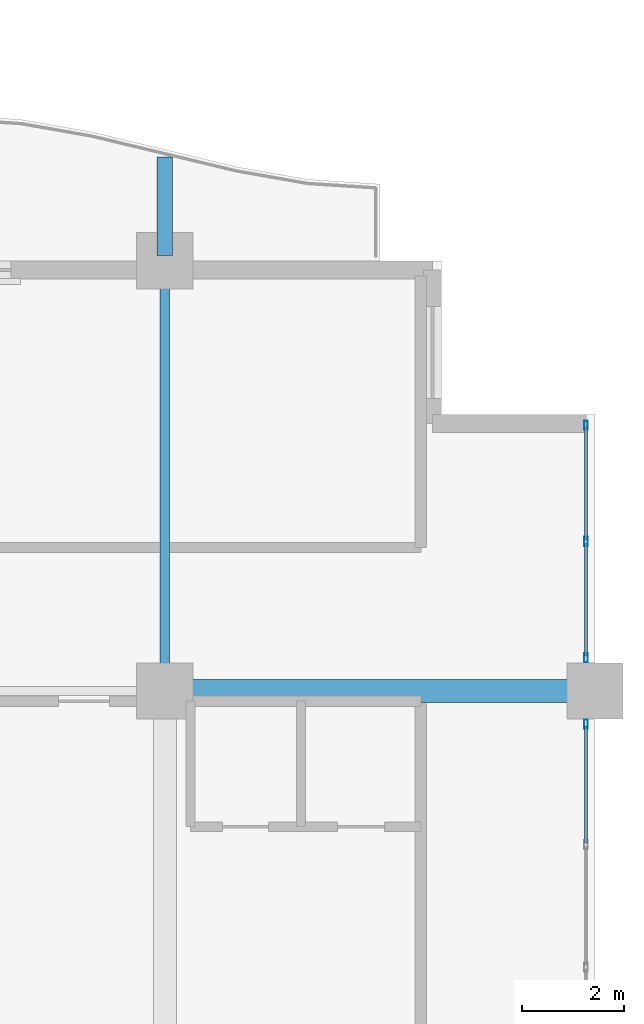
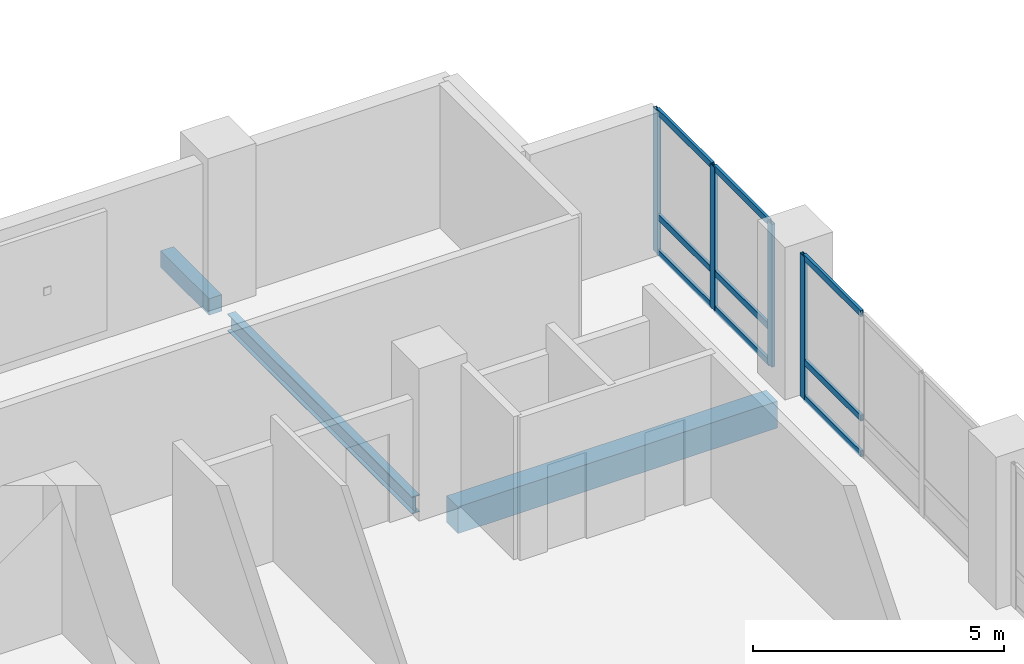
# One storey, part 7 of 22: 13 members, 3 beams, 2 elements without a shape of their own.
"""IFC4 building model written with IfcOpenShell, lengths in metres."""

from ifc_helpers import new_model, si_unit, direction, frame, origin, origin_2d, place, context, subcontext, project, spatial, rectangle, hollow_rectangle, i_section, extrude, material, layer, layer_set, material_profile, profile_set, type_object, element, aggregate, save


model = new_model("IFC4")

# Units and contexts
model_context = context("Model", 3, precision=1e-05, world=origin(), true_north=direction((0.0, 1.0)))
body_context = subcontext(model_context, "Body", "Model", "MODEL_VIEW")
ifc_project = project(units=[si_unit("LENGTHUNIT", "METRE"), si_unit("AREAUNIT", "SQUARE_METRE"), si_unit("VOLUMEUNIT", "CUBIC_METRE"), si_unit("PLANEANGLEUNIT", "RADIAN"), si_unit("MASSUNIT", "GRAM", prefix="KILO")], contexts=[model_context])

# Site, building, storey
site_placement = place(None, origin())
site = spatial("IfcSite", under=ifc_project, at=site_placement, CompositionType="ELEMENT")
building_placement = place(site_placement, origin())
building = spatial("IfcBuilding", under=site, at=building_placement, Name="Koriwani Terraces Tower", CompositionType="ELEMENT")
storey_placement = place(building_placement, frame((0.0, 0.0, 182.800048828125)))
storey = spatial("IfcBuildingStorey", under=building, at=storey_placement, Name="L44", CompositionType="ELEMENT", Elevation=182.800048828125)

# Beams
ifc_material_1 = material(Name="Concrete C40/50", Category="concrete")
ifc_material_profile_1 = material_profile(ifc_material_1, rectangle(XDim=0.300048828125, YDim=0.39990234375, at=origin_2d()), Name="Concrete C40/50", Category="LoadBearing")
ifc_profile_set_1 = profile_set([ifc_material_profile_1], Name="Concrete C40/50")
beam_type_1 = type_object("IfcBeamType", Name="BEAM_RC_BALCONY_RIB_300X400", PredefinedType="JOIST", material=ifc_profile_set_1)
beam_1_placement = place(storey_placement, frame((67.199951171875, 33.699951171875, -0.429931640625), z_axis=(0.0, 1.0, 0.0), x_axis=(-1.0, 0.0, 0.0)))
element("IfcBeam", 1, at=beam_1_placement, inside=storey, type_object=beam_type_1, Name="L44 Balcony Bracket Rib NE-4", PredefinedType="JOIST", context=body_context, shape_type="SweptSolid", body=[
    extrude(rectangle(XDim=0.300048828125, YDim=0.39990234375, at=origin_2d()), origin(), (0.0, 0.0, 1.0), 1.925048828125),
])
ifc_material_2 = material(Name="Concrete C50/60", Category="concrete")
ifc_material_profile_2 = material_profile(ifc_material_2, rectangle(XDim=0.449951171875, YDim=0.64990234375, at=origin_2d()), Name="Concrete C50/60", Category="LoadBearing")
ifc_profile_set_2 = profile_set([ifc_material_profile_2], Name="Concrete C50/60")
beam_type_2 = type_object("IfcBeamType", Name="BEAM_RC_GRID_450X650", PredefinedType="BEAM", material=ifc_profile_set_2)
beam_2_placement = place(storey_placement, frame((67.72998046875, 25.199951171875, -0.554931640625), z_axis=(1.0, 0.0, 0.0), x_axis=(0.0, 1.0, 0.0)))
element("IfcBeam", 2, at=beam_2_placement, inside=storey, type_object=beam_type_2, Name="L44 Grid Beam D (67.2-75.6m)", PredefinedType="BEAM", context=body_context, shape_type="SweptSolid", body=[
    extrude(rectangle(XDim=0.449951171875, YDim=0.64990234375, at=origin_2d()), origin(), (0.0, 0.0, 1.0), 7.340087890625),
])

# Curtain wall, members
ifc_material_3 = material(Name="Anodised Bronze Aluminium", Category="aluminium")
ifc_layer = layer(ifc_material_3, 0.169921875, Name="Anodised Bronze Aluminium")
ifc_layer_set = layer_set([ifc_layer], Name="Anodised Bronze Aluminium")
curtain_wall_type = type_object("IfcCurtainWallType", Name="CW_RES_ZONE3", PredefinedType="NOTDEFINED", material=ifc_layer_set)
curtain_wall_1_placement = place(storey_placement, origin())
curtain_wall_1 = element("IfcCurtainWall", 3, at=curtain_wall_1_placement, inside=storey, type_object=curtain_wall_type, Name="L44 Unitised Curtain Wall (E_TIP) Bay 1", PredefinedType="NOTDEFINED")
ifc_material_profile_3 = material_profile(ifc_material_3, hollow_rectangle(XDim=0.074951171875, YDim=0.179931640625, WallThickness=0.006103515625, at=origin_2d()), Name="Anodised Bronze Aluminium", Category="LoadBearing")
ifc_profile_set_3 = profile_set([ifc_material_profile_3], Name="Anodised Bronze Aluminium")
member_type_1 = type_object("IfcMemberType", Name="CW_MULLION_180X75", PredefinedType="MULLION", material=ifc_profile_set_3)
member_1_placement = place(storey_placement, frame((75.425048828125, 30.387451171875, 0.0), z_axis=(0.0, 0.0, 1.0), x_axis=(1.0, 0.0, 0.0)))
member_1 = element("IfcMember", 4, at=member_1_placement, type_object=member_type_1, Name="CW-Z3 mullion 1", PredefinedType="MULLION", context=body_context, shape_type="SweptSolid", body=[
    extrude(hollow_rectangle(XDim=0.074951171875, YDim=0.179931640625, WallThickness=0.006103515625, at=origin_2d()), origin(), (0.0, 0.0, 1.0), 3.469970703125),
])
member_2_placement = place(storey_placement, frame((75.425048828125, 28.117431640625, 0.0), z_axis=(0.0, 0.0, 1.0), x_axis=(1.0, 0.0, 0.0)))
member_2 = element("IfcMember", 5, at=member_2_placement, type_object=member_type_1, Name="CW-Z3 mullion 2", PredefinedType="MULLION", context=body_context, shape_type="SweptSolid", body=[
    extrude(hollow_rectangle(XDim=0.074951171875, YDim=0.179931640625, WallThickness=0.006103515625, at=origin_2d()), origin(), (0.0, 0.0, 1.0), 3.469970703125),
])
member_3_placement = place(storey_placement, frame((75.425048828125, 25.847412109375, 0.0), z_axis=(0.0, 0.0, 1.0), x_axis=(1.0, 0.0, 0.0)))
member_3 = element("IfcMember", 6, at=member_3_placement, type_object=member_type_1, Name="CW-Z3 mullion 3", PredefinedType="MULLION", context=body_context, shape_type="SweptSolid", body=[
    extrude(hollow_rectangle(XDim=0.074951171875, YDim=0.179931640625, WallThickness=0.006103515625, at=origin_2d()), origin(), (0.0, 0.0, 1.0), 3.469970703125),
])

# Curtain wall, member
curtain_wall_2_placement = place(storey_placement, origin())
curtain_wall_2 = element("IfcCurtainWall", 7, at=curtain_wall_2_placement, inside=storey, type_object=curtain_wall_type, Name="L44 Unitised Curtain Wall (E_TIP) Bay 2", PredefinedType="NOTDEFINED")
member_4_placement = place(storey_placement, frame((75.425048828125, 24.552490234375, 0.0), z_axis=(0.0, 0.0, 1.0), x_axis=(1.0, 0.0, 0.0)))
member_4 = element("IfcMember", 8, at=member_4_placement, type_object=member_type_1, Name="CW-Z3 mullion 1", PredefinedType="MULLION", context=body_context, shape_type="SweptSolid", body=[
    extrude(hollow_rectangle(XDim=0.074951171875, YDim=0.179931640625, WallThickness=0.006103515625, at=origin_2d()), origin(), (0.0, 0.0, 1.0), 3.469970703125),
])

# Member
ifc_material_profile_4 = material_profile(ifc_material_3, hollow_rectangle(XDim=0.06494140625, YDim=0.14990234375, WallThickness=0.0048828125, at=origin_2d()), Name="Anodised Bronze Aluminium", Category="LoadBearing")
ifc_profile_set_4 = profile_set([ifc_material_profile_4], Name="Anodised Bronze Aluminium")
member_type_2 = type_object("IfcMemberType", Name="CW_TRANSOM_150X65", PredefinedType="USERDEFINED", material=ifc_profile_set_4)
member_5_placement = place(storey_placement, frame((75.425048828125, 30.35009765625, 0.032470703125), z_axis=(0.0, -1.0, 0.0), x_axis=(1.0, 0.0, 0.0)))
member_5 = element("IfcMember", 9, at=member_5_placement, type_object=member_type_2, Name="CW-Z3 transom 1.1", ObjectType="TRANSOM", PredefinedType="USERDEFINED", context=body_context, shape_type="SweptSolid", body=[
    extrude(hollow_rectangle(XDim=0.06494140625, YDim=0.14990234375, WallThickness=0.0048828125, at=origin_2d()), origin(), (0.0, 0.0, 1.0), 2.195068359375),
])

member_6_placement = place(storey_placement, frame((75.425048828125, 30.35009765625, 0.89990234375), z_axis=(0.0, -1.0, 0.0), x_axis=(1.0, 0.0, 0.0)))
member_6 = element("IfcMember", 10, at=member_6_placement, type_object=member_type_2, Name="CW-Z3 transom 1.2", ObjectType="TRANSOM", PredefinedType="USERDEFINED", context=body_context, shape_type="SweptSolid", body=[
    extrude(hollow_rectangle(XDim=0.06494140625, YDim=0.14990234375, WallThickness=0.0048828125, at=origin_2d()), origin(), (0.0, 0.0, 1.0), 2.195068359375),
])

member_7_placement = place(storey_placement, frame((75.425048828125, 30.35009765625, 3.4375), z_axis=(0.0, -1.0, 0.0), x_axis=(1.0, 0.0, 0.0)))
member_7 = element("IfcMember", 11, at=member_7_placement, type_object=member_type_2, Name="CW-Z3 transom 1.3", ObjectType="TRANSOM", PredefinedType="USERDEFINED", context=body_context, shape_type="SweptSolid", body=[
    extrude(hollow_rectangle(XDim=0.06494140625, YDim=0.14990234375, WallThickness=0.0048828125, at=origin_2d()), origin(), (0.0, 0.0, 1.0), 2.195068359375),
])

member_8_placement = place(storey_placement, frame((75.425048828125, 28.080078125, 0.032470703125), z_axis=(0.0, -1.0, 0.0), x_axis=(1.0, 0.0, 0.0)))
member_8 = element("IfcMember", 12, at=member_8_placement, type_object=member_type_2, Name="CW-Z3 transom 2.1", ObjectType="TRANSOM", PredefinedType="USERDEFINED", context=body_context, shape_type="SweptSolid", body=[
    extrude(hollow_rectangle(XDim=0.06494140625, YDim=0.14990234375, WallThickness=0.0048828125, at=origin_2d()), origin(), (0.0, 0.0, 1.0), 2.195068359375),
])

member_9_placement = place(storey_placement, frame((75.425048828125, 28.080078125, 0.89990234375), z_axis=(0.0, -1.0, 0.0), x_axis=(1.0, 0.0, 0.0)))
member_9 = element("IfcMember", 13, at=member_9_placement, type_object=member_type_2, Name="CW-Z3 transom 2.2", ObjectType="TRANSOM", PredefinedType="USERDEFINED", context=body_context, shape_type="SweptSolid", body=[
    extrude(hollow_rectangle(XDim=0.06494140625, YDim=0.14990234375, WallThickness=0.0048828125, at=origin_2d()), origin(), (0.0, 0.0, 1.0), 2.195068359375),
])

member_10_placement = place(storey_placement, frame((75.425048828125, 28.080078125, 3.4375), z_axis=(0.0, -1.0, 0.0), x_axis=(1.0, 0.0, 0.0)))
member_10 = element("IfcMember", 14, at=member_10_placement, type_object=member_type_2, Name="CW-Z3 transom 2.3", ObjectType="TRANSOM", PredefinedType="USERDEFINED", context=body_context, shape_type="SweptSolid", body=[
    extrude(hollow_rectangle(XDim=0.06494140625, YDim=0.14990234375, WallThickness=0.0048828125, at=origin_2d()), origin(), (0.0, 0.0, 1.0), 2.195068359375),
])

aggregate(curtain_wall_1, [member_1, member_2, member_3, member_5, member_6, member_7, member_8, member_9, member_10])

member_11_placement = place(storey_placement, frame((75.425048828125, 24.514892578125, 0.032470703125), z_axis=(0.0, -1.0, 0.0), x_axis=(1.0, 0.0, 0.0)))
member_11 = element("IfcMember", 15, at=member_11_placement, type_object=member_type_2, Name="CW-Z3 transom 1.1", ObjectType="TRANSOM", PredefinedType="USERDEFINED", context=body_context, shape_type="SweptSolid", body=[
    extrude(hollow_rectangle(XDim=0.06494140625, YDim=0.14990234375, WallThickness=0.0048828125, at=origin_2d()), origin(), (0.0, 0.0, 1.0), 2.28076171875),
])

member_12_placement = place(storey_placement, frame((75.425048828125, 24.514892578125, 0.89990234375), z_axis=(0.0, -1.0, 0.0), x_axis=(1.0, 0.0, 0.0)))
member_12 = element("IfcMember", 16, at=member_12_placement, type_object=member_type_2, Name="CW-Z3 transom 1.2", ObjectType="TRANSOM", PredefinedType="USERDEFINED", context=body_context, shape_type="SweptSolid", body=[
    extrude(hollow_rectangle(XDim=0.06494140625, YDim=0.14990234375, WallThickness=0.0048828125, at=origin_2d()), origin(), (0.0, 0.0, 1.0), 2.28076171875),
])

member_13_placement = place(storey_placement, frame((75.425048828125, 24.514892578125, 3.4375), z_axis=(0.0, -1.0, 0.0), x_axis=(1.0, 0.0, 0.0)))
member_13 = element("IfcMember", 17, at=member_13_placement, type_object=member_type_2, Name="CW-Z3 transom 1.3", ObjectType="TRANSOM", PredefinedType="USERDEFINED", context=body_context, shape_type="SweptSolid", body=[
    extrude(hollow_rectangle(XDim=0.06494140625, YDim=0.14990234375, WallThickness=0.0048828125, at=origin_2d()), origin(), (0.0, 0.0, 1.0), 2.28076171875),
])

aggregate(curtain_wall_2, [member_4, member_11, member_12, member_13])

# Beam
ifc_material_4 = material(Name="Steel ASTM A572 Grade 50", Category="steel")
ifc_material_profile_5 = material_profile(ifc_material_4, i_section(OverallWidth=0.180908203125, OverallDepth=0.4169921875, WebThickness=0.010986328125, FlangeThickness=0.018310546875, at=origin_2d()), Name="Steel ASTM A572 Grade 50", Category="LoadBearing")
ifc_profile_set_5 = profile_set([ifc_material_profile_5], Name="Steel ASTM A572 Grade 50")
beam_type_3 = type_object("IfcBeamType", Name="STEEL_BEAM_W410X85", PredefinedType="JOIST", material=ifc_profile_set_5)
beam_3_placement = place(storey_placement, frame((67.199951171875, 25.72998046875, -0.4384765625), z_axis=(0.0, 1.0, 0.0), x_axis=(-1.0, 0.0, 0.0)))
element("IfcBeam", 18, at=beam_3_placement, inside=storey, type_object=beam_type_3, Name="L44 Grid Beam 9 (25.2-33.6m)", PredefinedType="JOIST", context=body_context, shape_type="SweptSolid", body=[
    extrude(i_section(OverallWidth=0.180908203125, OverallDepth=0.4169921875, WebThickness=0.010986328125, FlangeThickness=0.018310546875, at=origin_2d()), origin(), (0.0, 0.0, 1.0), 7.340087890625),
])

save(model, "model.ifc")
